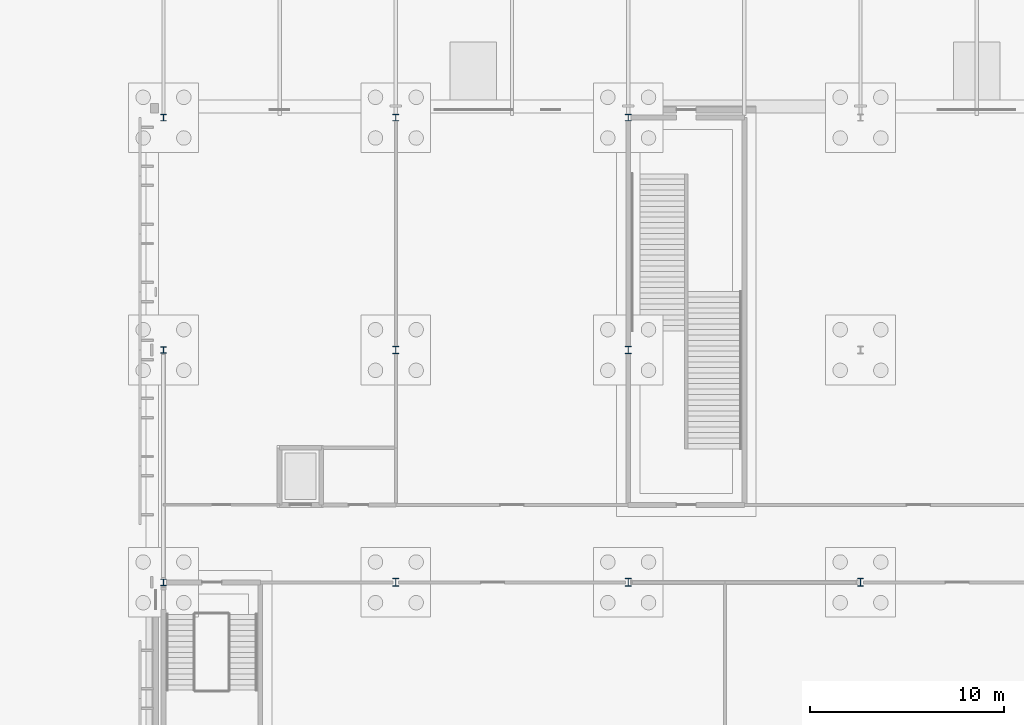
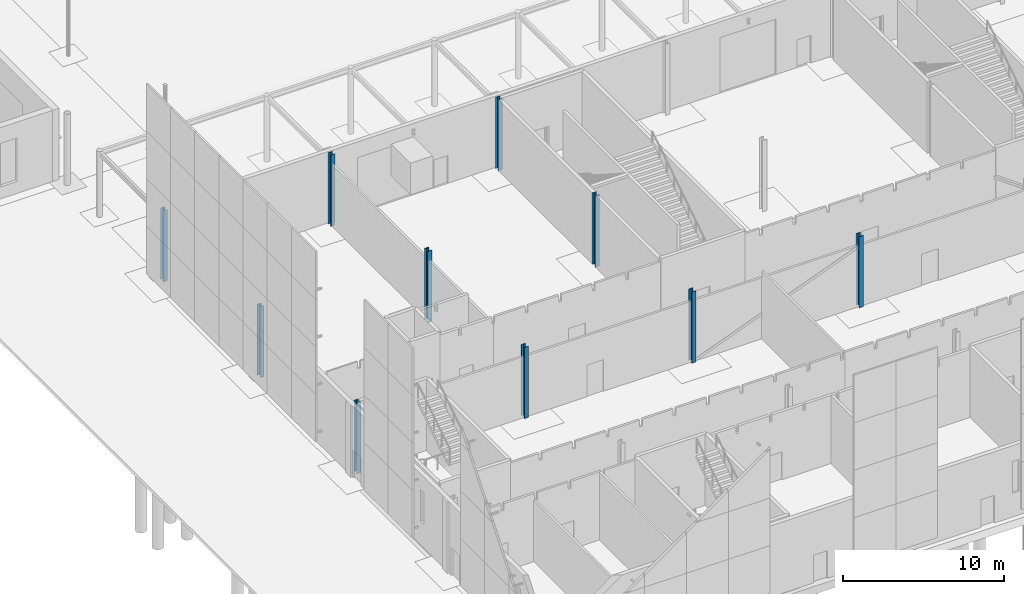
# One storey, part 15 of 132: 10 columns.
"""IFC4 building model written with IfcOpenShell, lengths in metres."""

from ifc_helpers import new_model, si_unit, direction, frame, origin, origin_2d, place, context, subcontext, project, spatial, i_section, extrude, material, material_profile, profile_set, type_object, element, save


model = new_model("IFC4")

# Units and contexts
model_context = context("Model", 3, precision=1e-05, world=origin(), true_north=direction((0.0, 1.0)))
body_context = subcontext(model_context, "Body", "Model", "MODEL_VIEW")
ifc_project = project(units=[si_unit("LENGTHUNIT", "METRE"), si_unit("AREAUNIT", "SQUARE_METRE"), si_unit("VOLUMEUNIT", "CUBIC_METRE"), si_unit("PLANEANGLEUNIT", "RADIAN"), si_unit("MASSUNIT", "GRAM", prefix="KILO")], contexts=[model_context])

# Site, building, storey
site_placement = place(None, origin())
site = spatial("IfcSite", under=ifc_project, at=site_placement, CompositionType="ELEMENT")
building_placement = place(site_placement, origin())
building = spatial("IfcBuilding", under=site, at=building_placement, Name="Ravi Spectrum Wholesale Market", CompositionType="ELEMENT")
storey_placement = place(building_placement, origin())
storey = spatial("IfcBuildingStorey", under=building, at=storey_placement, Name="L00", CompositionType="ELEMENT", Elevation=0.0)

# Columns
ifc_material_1 = material(Name="Steel S355", Category="steel")
ifc_material_profile_1 = material_profile(ifc_material_1, i_section(OverallWidth=0.300048828125, OverallDepth=0.340087890625, WebThickness=0.011962890625, FlangeThickness=0.021484375, at=origin_2d()))
ifc_profile_set_1 = profile_set([ifc_material_profile_1], Name="Steel S355")
column_type_1 = type_object("IfcColumnType", Name="HEB 340 column", PredefinedType="COLUMN", material=ifc_profile_set_1)
for number, where, z_axis, x_axis, name in (
    (1, (198.0, 42.0, 0.0), (0.0, 0.0, 1.0), (1.0, 0.0, 0.0), "CS-COL-L00-003"),
    (2, (198.0, 54.0, 0.0), (0.0, 0.0, 1.0), (1.0, 0.0, 0.0), "CS-COL-L00-004"),
    (3, (198.0, 66.0, 0.0), (0.0, 0.0, 1.0), (1.0, 0.0, 0.0), "CS-COL-L00-005"),
    (4, (210.0, 66.0, 0.0), (0.0, 0.0, 1.0), (1.0, 0.0, 0.0), "CS-COL-L00-010"),
    (5, (222.0, 66.0, 0.0), (0.0, 0.0, 1.0), (1.0, 0.0, 0.0), "CS-COL-L00-015"),
):
    element("IfcColumn", number, at=place(storey_placement, frame(where, z_axis=z_axis, x_axis=x_axis)), inside=storey, type_object=column_type_1, Name=name, PredefinedType="COLUMN", context=body_context, shape_type="SweptSolid", body=[
        extrude(i_section(OverallWidth=0.300048828125, OverallDepth=0.340087890625, WebThickness=0.011962890625, FlangeThickness=0.021484375, at=origin_2d()), origin(), (0.0, 0.0, 1.0), 5.39990234375),
    ])
ifc_material_2 = material(Name="Steel S355", Category="steel")
ifc_material_profile_2 = material_profile(ifc_material_2, i_section(OverallWidth=0.300048828125, OverallDepth=0.39990234375, WebThickness=0.013427734375, FlangeThickness=0.02392578125, at=origin_2d()))
ifc_profile_set_2 = profile_set([ifc_material_profile_2], Name="Steel S355")
column_type_2 = type_object("IfcColumnType", Name="HEB 400 column", PredefinedType="COLUMN", material=ifc_profile_set_2)
for number, where, z_axis, x_axis, name in (
    (6, (210.0, 42.0, 0.0), (0.0, 0.0, 1.0), (1.0, 0.0, 0.0), "CS-COL-L00-008"),
    (7, (210.0, 54.0, 0.0), (0.0, 0.0, 1.0), (1.0, 0.0, 0.0), "CS-COL-L00-009"),
    (8, (222.0, 42.0, 0.0), (0.0, 0.0, 1.0), (1.0, 0.0, 0.0), "CS-COL-L00-013"),
    (9, (222.0, 54.0, 0.0), (0.0, 0.0, 1.0), (1.0, 0.0, 0.0), "CS-COL-L00-014"),
    (10, (234.0, 42.0, 0.0), (0.0, 0.0, 1.0), (1.0, 0.0, 0.0), "CS-COL-L00-018"),
):
    element("IfcColumn", number, at=place(storey_placement, frame(where, z_axis=z_axis, x_axis=x_axis)), inside=storey, type_object=column_type_2, Name=name, PredefinedType="COLUMN", context=body_context, shape_type="SweptSolid", body=[
        extrude(i_section(OverallWidth=0.300048828125, OverallDepth=0.39990234375, WebThickness=0.013427734375, FlangeThickness=0.02392578125, at=origin_2d()), origin(), (0.0, 0.0, 1.0), 5.39990234375),
    ])

save(model, "model.ifc")
